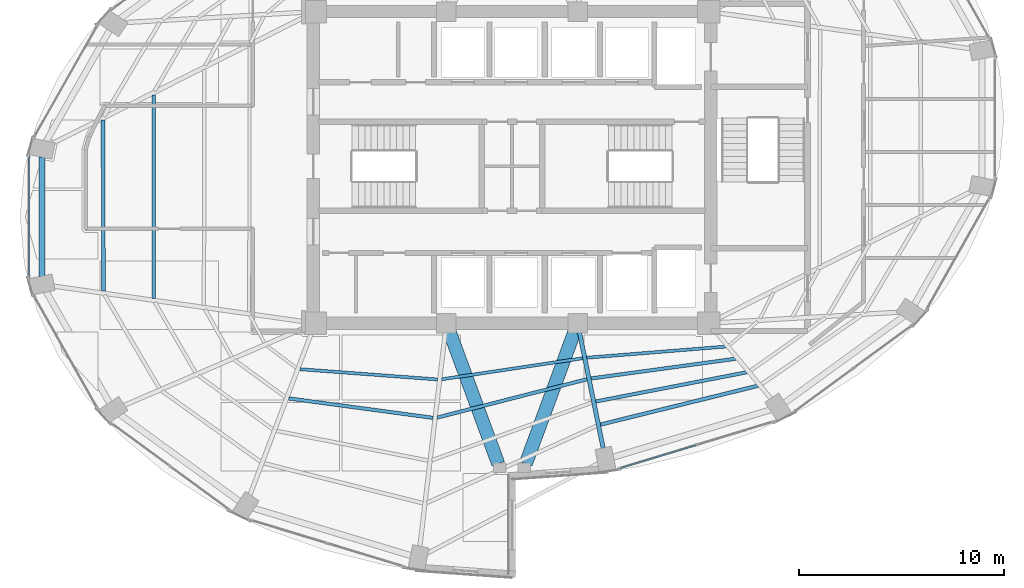
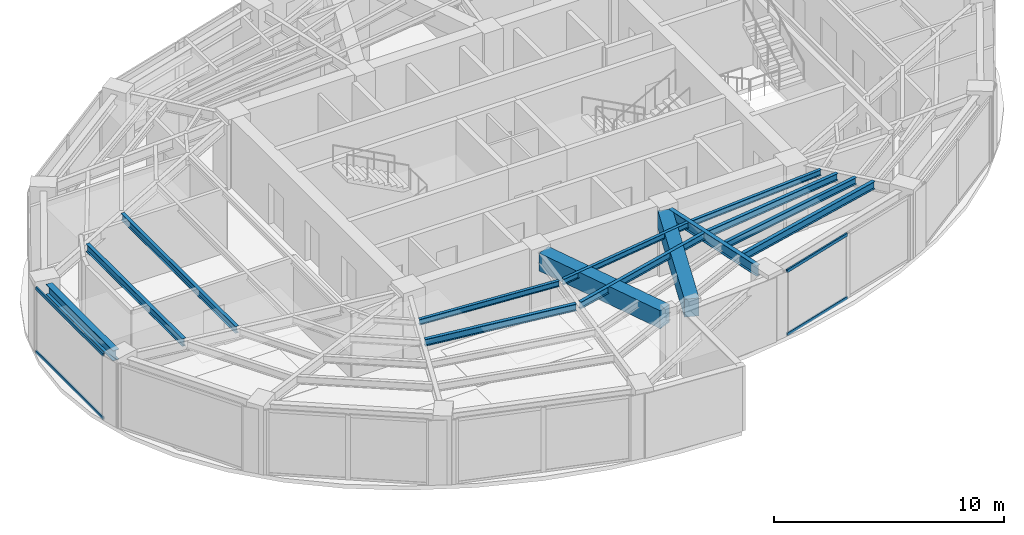
# One storey, part 5 of 20: 14 beams, 4 members, 2 elements without a shape of their own.
"""IFC4 building model written with IfcOpenShell, lengths in metres."""

from ifc_helpers import new_model, si_unit, direction, frame, origin, origin_2d, place, context, subcontext, project, spatial, rectangle, hollow_rectangle, i_section, extrude, material, layer, layer_set, material_profile, profile_set, type_object, element, aggregate, save


model = new_model("IFC4")

# Units and contexts
model_context = context("Model", 3, precision=1e-05, world=origin(), true_north=direction((0.0, 1.0)))
body_context = subcontext(model_context, "Body", "Model", "MODEL_VIEW")
ifc_project = project(units=[si_unit("LENGTHUNIT", "METRE"), si_unit("AREAUNIT", "SQUARE_METRE"), si_unit("VOLUMEUNIT", "CUBIC_METRE"), si_unit("PLANEANGLEUNIT", "RADIAN"), si_unit("MASSUNIT", "GRAM", prefix="KILO")], contexts=[model_context])

# Site, building, storey
site_placement = place(None, origin())
site = spatial("IfcSite", under=ifc_project, at=site_placement, CompositionType="ELEMENT")
building_placement = place(site_placement, origin())
building = spatial("IfcBuilding", under=site, at=building_placement, Name="Lazwardi Medical Tower", CompositionType="ELEMENT")
storey_placement = place(building_placement, frame((0.0, 0.0, 160.176025390625)))
storey = spatial("IfcBuildingStorey", under=building, at=storey_placement, Name="L41", CompositionType="ELEMENT", Elevation=160.176025390625)

# Beams
ifc_material_1 = material(Name="Concrete C60/75", Category="concrete")
ifc_material_profile_1 = material_profile(ifc_material_1, rectangle(XDim=0.64990234375, YDim=0.949951171875, at=origin_2d()), Name="RC 650x950")
ifc_profile_set_1 = profile_set([ifc_material_profile_1], Name="Concrete C60/75")
beam_type_1 = type_object("IfcBeamType", Name="BM-CB-RC2", PredefinedType="LINTEL", material=ifc_profile_set_1)
for number, where, z_axis, x_axis, name in (
    (1, (32.959228515625, 19.968505859375, 2.952880859375), (0.34601281054, -0.938229787921, 0.0), (0.938229787921, 0.34601281054, 0.0), "Core coupling lintel CB-02 PL3 L41"),
    (2, (39.040771484375, 19.968505859375, 2.952880859375), (-0.34601281054, -0.938229787921, 0.0), (0.938229787921, -0.34601281054, 0.0), "Core coupling lintel CB-02 PL4 L41"),
):
    element("IfcBeam", number, at=place(storey_placement, frame(where, z_axis=z_axis, x_axis=x_axis)), inside=storey, type_object=beam_type_1, Name=name, PredefinedType="LINTEL", context=body_context, shape_type="SweptSolid", body=[
        extrude(rectangle(XDim=0.64990234375, YDim=0.949951171875, at=origin_2d()), origin(), (0.0, 0.0, 1.0), 6.84423828125),
    ])
ifc_material_2 = material(Name="Steel S355", Category="steel")
ifc_material_profile_2 = material_profile(ifc_material_2, i_section(OverallWidth=0.300048828125, OverallDepth=0.550048828125, WebThickness=0.014892578125, FlangeThickness=0.029052734375, at=origin_2d()), Name="HEB 550")
ifc_profile_set_2 = profile_set([ifc_material_profile_2], Name="Steel S355")
beam_type_2 = type_object("IfcBeamType", Name="BM-RB-Z3", PredefinedType="BEAM", material=ifc_profile_set_2)
beam_1_placement = place(storey_placement, frame((13.07421875, 28.51171875, 3.153076171875), z_axis=(0.0, -1.0, 0.0), x_axis=(1.0, 0.0, 0.0)))
element("IfcBeam", 3, at=beam_1_placement, inside=storey, type_object=beam_type_2, Name="Ring beam RB-04 B12 L41", PredefinedType="BEAM", context=body_context, shape_type="SweptSolid", body=[
    extrude(i_section(OverallWidth=0.300048828125, OverallDepth=0.550048828125, WebThickness=0.014892578125, FlangeThickness=0.029052734375, at=origin_2d()), origin(), (0.0, 0.0, 1.0), 5.823486328125),
])
ifc_material_profile_3 = material_profile(ifc_material_2, i_section(OverallWidth=0.2099609375, OverallDepth=0.550048828125, WebThickness=0.010986328125, FlangeThickness=0.01708984375, at=origin_2d()), Name="IPE 550")
ifc_profile_set_3 = profile_set([ifc_material_profile_3], Name="Steel S355")
beam_type_3 = type_object("IfcBeamType", Name="BM-RG-W2", PredefinedType="BEAM", material=ifc_profile_set_3)
beam_2_placement = place(storey_placement, frame((40.447998046875, 14.2998046875, 3.153076171875), z_axis=(-0.200429485343, 0.979708130723, 0.0), x_axis=(-0.979708130723, -0.200429485343, 0.0)))
element("IfcBeam", 4, at=beam_2_placement, inside=storey, type_object=beam_type_3, Name="Radial girder RG-03 R01 L41", PredefinedType="BEAM", context=body_context, shape_type="SweptSolid", body=[
    extrude(i_section(OverallWidth=0.2099609375, OverallDepth=0.550048828125, WebThickness=0.010986328125, FlangeThickness=0.01708984375, at=origin_2d()), origin(), (0.0, 0.0, 1.0), 5.766357421875),
])
ifc_material_profile_4 = material_profile(ifc_material_2, i_section(OverallWidth=0.179931640625, OverallDepth=0.39990234375, WebThickness=0.008544921875, FlangeThickness=0.013427734375, at=origin_2d()), Name="IPE 400")
ifc_profile_set_4 = profile_set([ifc_material_profile_4], Name="Steel S355")
beam_type_4 = type_object("IfcBeamType", Name="BM-SJ-01", PredefinedType="JOIST", material=ifc_profile_set_4)
beam_3_placement = place(storey_placement, frame((40.31396484375, 15.45361328125, 3.22802734375), z_axis=(0.970912648168, 0.239433977597, 0.0), x_axis=(-0.239433977597, 0.970912648168, 0.0)))
element("IfcBeam", 5, at=beam_3_placement, inside=storey, type_object=beam_type_4, Name="Secondary joist SJ-01 R1 B01 L41", PredefinedType="JOIST", context=body_context, shape_type="SweptSolid", body=[
    extrude(i_section(OverallWidth=0.179931640625, OverallDepth=0.39990234375, WebThickness=0.008544921875, FlangeThickness=0.013427734375, at=origin_2d()), origin(), (0.0, 0.0, 1.0), 7.91162109375),
])
beam_4_placement = place(storey_placement, frame((16.04443359375, 30.30224609375, 3.22802734375), z_axis=(0.003864366017, -0.99999253331, 0.0), x_axis=(0.99999253331, 0.003864366017, 0.0)))
element("IfcBeam", 6, at=beam_4_placement, inside=storey, type_object=beam_type_4, Name="Secondary joist SJ-01 R1 B12 L41", PredefinedType="JOIST", context=body_context, shape_type="SweptSolid", body=[
    extrude(i_section(OverallWidth=0.179931640625, OverallDepth=0.39990234375, WebThickness=0.008544921875, FlangeThickness=0.013427734375, at=origin_2d()), origin(), (0.0, 0.0, 1.0), 8.33935546875),
])
ifc_material_profile_5 = material_profile(ifc_material_2, i_section(OverallWidth=0.169921875, OverallDepth=0.360107421875, WebThickness=0.008056640625, FlangeThickness=0.0126953125, at=origin_2d()), Name="IPE 360")
ifc_profile_set_5 = profile_set([ifc_material_profile_5], Name="Steel S355")
beam_type_5 = type_object("IfcBeamType", Name="BM-SJ-02", PredefinedType="JOIST", material=ifc_profile_set_5)
beam_5_placement = place(storey_placement, frame((40.083984375, 16.57861328125, 3.248046875), z_axis=(0.981753035865, 0.190160396953, 0.0), x_axis=(-0.190160396953, 0.981753035865, 0.0)))
element("IfcBeam", 7, at=beam_5_placement, inside=storey, type_object=beam_type_5, Name="Secondary joist SJ-02 R2 B01 L41", PredefinedType="JOIST", context=body_context, shape_type="SweptSolid", body=[
    extrude(i_section(OverallWidth=0.169921875, OverallDepth=0.360107421875, WebThickness=0.008056640625, FlangeThickness=0.0126953125, at=origin_2d()), origin(), (0.0, 0.0, 1.0), 7.50927734375),
])
beam_6_placement = place(storey_placement, frame((18.513671875, 31.541748046875, 3.248046875), z_axis=(0.001156040156, -0.999999331785, 0.0), x_axis=(0.999999331785, 0.001156040156, 0.0)))
element("IfcBeam", 8, at=beam_6_placement, inside=storey, type_object=beam_type_5, Name="Secondary joist SJ-02 R2 B12 L41", PredefinedType="JOIST", context=body_context, shape_type="SweptSolid", body=[
    extrude(i_section(OverallWidth=0.169921875, OverallDepth=0.360107421875, WebThickness=0.008056640625, FlangeThickness=0.0126953125, at=origin_2d()), origin(), (0.0, 0.0, 1.0), 9.92578125),
])
beam_7_placement = place(storey_placement, frame((39.853515625, 17.702880859375, 3.248046875), z_axis=(0.990832043476, 0.135099450852, 0.0), x_axis=(-0.135099450852, 0.990832043476, 0.0)))
element("IfcBeam", 9, at=beam_7_placement, inside=storey, type_object=beam_type_5, Name="Secondary joist SJ-02 R3 B01 L41", PredefinedType="JOIST", context=body_context, shape_type="SweptSolid", body=[
    extrude(i_section(OverallWidth=0.169921875, OverallDepth=0.360107421875, WebThickness=0.008056640625, FlangeThickness=0.0126953125, at=origin_2d()), origin(), (0.0, 0.0, 1.0), 7.129150390625),
])
beam_8_placement = place(storey_placement, frame((25.110107421875, 16.730224609375, 3.248046875), z_axis=(0.991056291961, -0.133444468468, 0.0), x_axis=(0.133444468468, 0.991056291961, 0.0)))
element("IfcBeam", 10, at=beam_8_placement, inside=storey, type_object=beam_type_5, Name="Secondary joist SJ-02 R3 B15 L41", PredefinedType="JOIST", context=body_context, shape_type="SweptSolid", body=[
    extrude(i_section(OverallWidth=0.169921875, OverallDepth=0.360107421875, WebThickness=0.008056640625, FlangeThickness=0.0126953125, at=origin_2d()), origin(), (0.0, 0.0, 1.0), 7.10400390625),
])
beam_9_placement = place(storey_placement, frame((32.3466796875, 15.793701171875, 3.248046875), z_axis=(0.96877632572, 0.247936344097, 0.0), x_axis=(-0.247936344097, 0.96877632572, 0.0)))
element("IfcBeam", 11, at=beam_9_placement, inside=storey, type_object=beam_type_5, Name="Secondary joist SJ-02 R3 B16 L41", PredefinedType="JOIST", context=body_context, shape_type="SweptSolid", body=[
    extrude(i_section(OverallWidth=0.169921875, OverallDepth=0.360107421875, WebThickness=0.008056640625, FlangeThickness=0.0126953125, at=origin_2d()), origin(), (0.0, 0.0, 1.0), 7.546630859375),
])
ifc_material_profile_6 = material_profile(ifc_material_2, i_section(OverallWidth=0.14990234375, OverallDepth=0.300048828125, WebThickness=0.007080078125, FlangeThickness=0.0107421875, at=origin_2d()), Name="IPE 300")
ifc_profile_set_6 = profile_set([ifc_material_profile_6], Name="Steel S355")
beam_type_6 = type_object("IfcBeamType", Name="BM-SJ-03", PredefinedType="JOIST", material=ifc_profile_set_6)
beam_10_placement = place(storey_placement, frame((39.646240234375, 18.71435546875, 3.278076171875), z_axis=(0.996785792338, 0.08011294647, 0.0), x_axis=(-0.08011294647, 0.996785792338, 0.0)))
element("IfcBeam", 12, at=beam_10_placement, inside=storey, type_object=beam_type_6, Name="Secondary joist SJ-03 R4 B01 L41", PredefinedType="JOIST", context=body_context, shape_type="SweptSolid", body=[
    extrude(i_section(OverallWidth=0.14990234375, OverallDepth=0.300048828125, WebThickness=0.007080078125, FlangeThickness=0.0107421875, at=origin_2d()), origin(), (0.0, 0.0, 1.0), 6.80810546875),
])
beam_11_placement = place(storey_placement, frame((25.650390625, 18.156494140625, 3.278076171875), z_axis=(0.99722699261, -0.074419924822, 0.0), x_axis=(0.074419924822, 0.99722699261, 0.0)))
element("IfcBeam", 13, at=beam_11_placement, inside=storey, type_object=beam_type_6, Name="Secondary joist SJ-03 R4 B15 L41", PredefinedType="JOIST", context=body_context, shape_type="SweptSolid", body=[
    extrude(i_section(OverallWidth=0.14990234375, OverallDepth=0.300048828125, WebThickness=0.007080078125, FlangeThickness=0.0107421875, at=origin_2d()), origin(), (0.0, 0.0, 1.0), 6.74169921875),
])
beam_12_placement = place(storey_placement, frame((32.57177734375, 17.662109375, 3.278076171875), z_axis=(0.98897469849, 0.148084589835, 0.0), x_axis=(-0.148084589835, 0.98897469849, 0.0)))
element("IfcBeam", 14, at=beam_12_placement, inside=storey, type_object=beam_type_6, Name="Secondary joist SJ-03 R4 B16 L41", PredefinedType="JOIST", context=body_context, shape_type="SweptSolid", body=[
    extrude(i_section(OverallWidth=0.14990234375, OverallDepth=0.300048828125, WebThickness=0.007080078125, FlangeThickness=0.0107421875, at=origin_2d()), origin(), (0.0, 0.0, 1.0), 6.952392578125),
])

# Curtain wall, members
ifc_material_3 = material(Name="Anodised bronze aluminium and solar control glazing", Category="aluminium")
ifc_layer = layer(ifc_material_3, 0.195068359375)
ifc_layer_set = layer_set([ifc_layer], Name="Anodised bronze aluminium and solar control glazing")
curtain_wall_type = type_object("IfcCurtainWallType", Name="CW-SYS-03", PredefinedType="NOTDEFINED", material=ifc_layer_set)
curtain_wall_1_placement = place(storey_placement, origin())
curtain_wall_1 = element("IfcCurtainWall", 15, at=curtain_wall_1_placement, inside=storey, type_object=curtain_wall_type, Name="L41 Unitised bronze curtain wall CW-03", PredefinedType="NOTDEFINED")
ifc_material_4 = material(Name="Anodised bronze aluminium", Category="aluminium")
ifc_material_profile_7 = material_profile(ifc_material_4, hollow_rectangle(XDim=0.074951171875, YDim=0.159912109375, WallThickness=0.00390625, at=origin_2d()), Name="ALU-TRANSOM 160x75x4")
ifc_profile_set_7 = profile_set([ifc_material_profile_7], Name="Anodised bronze aluminium")
member_type = type_object("IfcMemberType", Name="CW-TRN-01", PredefinedType="USERDEFINED", material=ifc_profile_set_7)
member_1_placement = place(storey_placement, frame((41.307861328125, 13.336669921875, 0.037353515625), z_axis=(0.956935517424, 0.290300560612, 0.0), x_axis=(-0.290300560612, 0.956935517424, 0.0)))
member_1 = element("IfcMember", 16, at=member_1_placement, type_object=member_type, Name="CW-03 transom 1.1", ObjectType="TRANSOM", PredefinedType="USERDEFINED", context=body_context, shape_type="SweptSolid", body=[
    extrude(hollow_rectangle(XDim=0.074951171875, YDim=0.159912109375, WallThickness=0.00390625, at=origin_2d()), origin(), (0.0, 0.0, 1.0), 3.836669921875),
])
member_2_placement = place(storey_placement, frame((41.307861328125, 13.336669921875, 3.390380859375), z_axis=(0.956935517424, 0.290300560612, 0.0), x_axis=(-0.290300560612, 0.956935517424, 0.0)))
member_2 = element("IfcMember", 17, at=member_2_placement, type_object=member_type, Name="CW-03 transom 1.2", ObjectType="TRANSOM", PredefinedType="USERDEFINED", context=body_context, shape_type="SweptSolid", body=[
    extrude(hollow_rectangle(XDim=0.074951171875, YDim=0.159912109375, WallThickness=0.00390625, at=origin_2d()), origin(), (0.0, 0.0, 1.0), 3.836669921875),
])
aggregate(curtain_wall_1, [member_1, member_2])

curtain_wall_2_placement = place(storey_placement, origin())
curtain_wall_2 = element("IfcCurtainWall", 18, at=curtain_wall_2_placement, inside=storey, type_object=curtain_wall_type, Name="L41 Unitised bronze curtain wall CW-03", PredefinedType="NOTDEFINED")
member_3_placement = place(storey_placement, frame((12.4423828125, 28.5205078125, 0.037353515625), z_axis=(0.0, -1.0, 0.0), x_axis=(1.0, 0.0, 0.0)))
member_3 = element("IfcMember", 19, at=member_3_placement, type_object=member_type, Name="CW-03 transom 1.1", ObjectType="TRANSOM", PredefinedType="USERDEFINED", context=body_context, shape_type="SweptSolid", body=[
    extrude(hollow_rectangle(XDim=0.074951171875, YDim=0.159912109375, WallThickness=0.00390625, at=origin_2d()), origin(), (0.0, 0.0, 1.0), 5.8408203125),
])
member_4_placement = place(storey_placement, frame((12.4423828125, 28.5205078125, 3.390380859375), z_axis=(0.0, -1.0, 0.0), x_axis=(1.0, 0.0, 0.0)))
member_4 = element("IfcMember", 20, at=member_4_placement, type_object=member_type, Name="CW-03 transom 1.2", ObjectType="TRANSOM", PredefinedType="USERDEFINED", context=body_context, shape_type="SweptSolid", body=[
    extrude(hollow_rectangle(XDim=0.074951171875, YDim=0.159912109375, WallThickness=0.00390625, at=origin_2d()), origin(), (0.0, 0.0, 1.0), 5.8408203125),
])
aggregate(curtain_wall_2, [member_3, member_4])

save(model, "model.ifc")
